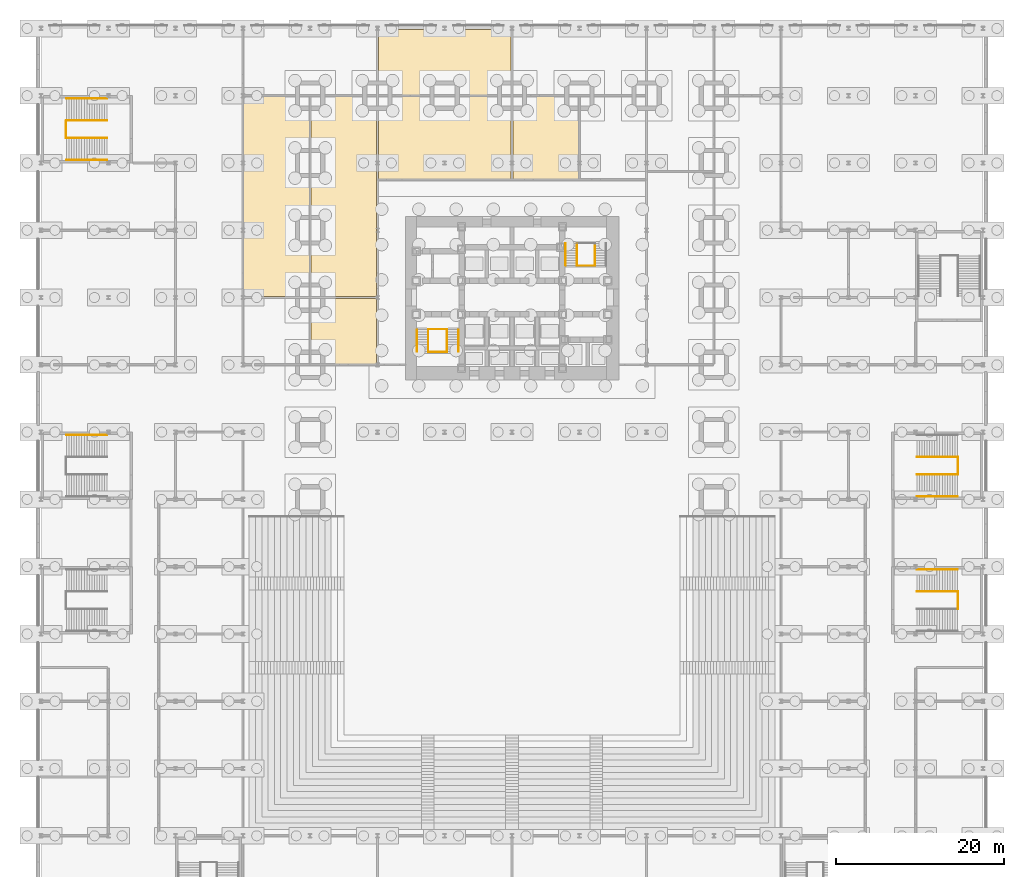
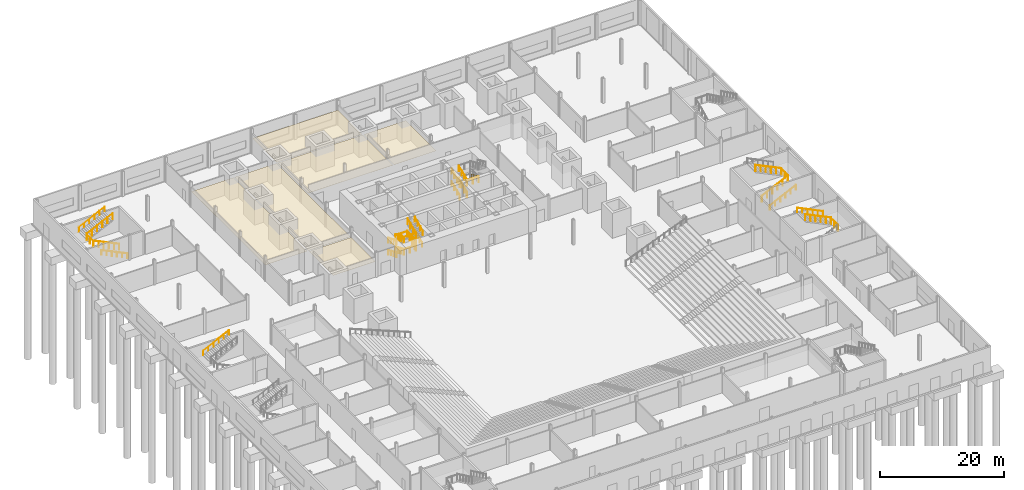
# One storey, part 22 of 24: 31 railings, 6 coverings.
"""IFC4 building model written with IfcOpenShell, lengths in metres."""

from ifc_helpers import new_model, si_unit, direction, frame, origin, origin_2d, place, context, subcontext, project, spatial, polyline, circle, outline, extrude, material, layer, layer_set, type_object, element, save


model = new_model("IFC4")

# Units and contexts
model_context = context("Model", 3, precision=1e-05, world=origin(), true_north=direction((0.0, 1.0)))
body_context = subcontext(model_context, "Body", "Model", "MODEL_VIEW")
ifc_project = project(units=[si_unit("LENGTHUNIT", "METRE"), si_unit("AREAUNIT", "SQUARE_METRE"), si_unit("VOLUMEUNIT", "CUBIC_METRE"), si_unit("PLANEANGLEUNIT", "RADIAN"), si_unit("MASSUNIT", "GRAM", prefix="KILO")], contexts=[model_context])

# Site, building, storey
site_placement = place(None, origin())
site = spatial("IfcSite", under=ifc_project, at=site_placement, CompositionType="ELEMENT")
building_placement = place(site_placement, origin())
building = spatial("IfcBuilding", under=site, at=building_placement, Name="Daluyong Arena Tower", CompositionType="ELEMENT")
storey_placement = place(building_placement, origin())
storey = spatial("IfcBuildingStorey", under=building, at=storey_placement, Name="L00", CompositionType="ELEMENT", Elevation=0.0)

# Coverings
ifc_material_1 = material(Name="Mineral fibre ceiling tile", Category="gypsum board")
ifc_layer = layer(ifc_material_1, 0.02001953125)
ifc_layer_set = layer_set([ifc_layer], Name="Mineral fibre ceiling tile")
covering_type = type_object("IfcCoveringType", Name="Office ceiling", PredefinedType="CEILING", material=ifc_layer_set)
covering_1_placement = place(storey_placement, frame((0.0, 0.0, 2.89990234375)))
element("IfcCovering", 1, at=covering_1_placement, inside=storey, type_object=covering_type, Name="ceiling L00-24", PredefinedType="CEILING", context=body_context, shape_type="SweptSolid", body=[
    extrude(outline(polyline([(39.89990234375, 72.10009765625), (39.89990234375, 79.89990234375), (32.10009765625, 79.89990234375), (32.10009765625, 72.10009765625), (39.89990234375, 72.10009765625)])), origin(), (0.0, 0.0, 1.0), 0.02001953125),
])
covering_2_placement = place(storey_placement, frame((0.0, 0.0, 2.89990234375)))
element("IfcCovering", 2, at=covering_2_placement, inside=storey, type_object=covering_type, Name="ceiling L00-39", PredefinedType="CEILING", context=body_context, shape_type="SweptSolid", body=[
    extrude(outline(polyline([(31.89990234375, 80.10009765625), (31.89990234375, 103.89990234375), (24.10009765625, 103.89990234375), (24.10009765625, 80.10009765625), (31.89990234375, 80.10009765625)])), origin(), (0.0, 0.0, 1.0), 0.02001953125),
])
covering_3_placement = place(storey_placement, frame((0.0, 0.0, 2.89990234375)))
element("IfcCovering", 3, at=covering_3_placement, inside=storey, type_object=covering_type, Name="ceiling L00-40", PredefinedType="CEILING", context=body_context, shape_type="SweptSolid", body=[
    extrude(outline(polyline([(39.89990234375, 80.10009765625), (39.89990234375, 103.89990234375), (32.10009765625, 103.89990234375), (32.10009765625, 80.10009765625), (39.89990234375, 80.10009765625)])), origin(), (0.0, 0.0, 1.0), 0.02001953125),
])
covering_4_placement = place(storey_placement, frame((0.0, 0.0, 2.89990234375)))
element("IfcCovering", 4, at=covering_4_placement, inside=storey, type_object=covering_type, Name="ceiling L00-42", PredefinedType="CEILING", context=body_context, shape_type="SweptSolid", body=[
    extrude(outline(polyline([(55.89990234375, 94.10009765625), (55.89990234375, 103.89990234375), (40.10009765625, 103.89990234375), (40.10009765625, 94.10009765625), (55.89990234375, 94.10009765625)])), origin(), (0.0, 0.0, 1.0), 0.02001953125),
])
covering_5_placement = place(storey_placement, frame((0.0, 0.0, 2.89990234375)))
element("IfcCovering", 5, at=covering_5_placement, inside=storey, type_object=covering_type, Name="ceiling L00-43", PredefinedType="CEILING", context=body_context, shape_type="SweptSolid", body=[
    extrude(outline(polyline([(55.89990234375, 104.10009765625), (55.89990234375, 111.89990234375), (40.10009765625, 111.89990234375), (40.10009765625, 104.10009765625), (55.89990234375, 104.10009765625)])), origin(), (0.0, 0.0, 1.0), 0.02001953125),
])
covering_6_placement = place(storey_placement, frame((0.0, 0.0, 2.89990234375)))
element("IfcCovering", 6, at=covering_6_placement, inside=storey, type_object=covering_type, Name="ceiling L00-44", PredefinedType="CEILING", context=body_context, shape_type="SweptSolid", body=[
    extrude(outline(polyline([(63.89990234375, 94.10009765625), (63.89990234375, 103.89990234375), (56.10009765625, 103.89990234375), (56.10009765625, 94.10009765625), (63.89990234375, 94.10009765625)])), origin(), (0.0, 0.0, 1.0), 0.02001953125),
])

# Railings
ifc_material_2 = material(Name="Stainless steel handrail", Category="steel")
railing_type_1 = type_object("IfcRailingType", Name="Stair handrail", PredefinedType="HANDRAIL", material=ifc_material_2)
railing_1_placement = place(storey_placement, frame((44.68994140625, 76.175048828125, 0.125732421875)))
element("IfcRailing", 7, at=railing_1_placement, inside=storey, type_object=railing_type_1, Name="exit stair A handrail L00", PredefinedType="HANDRAIL", context=body_context, shape_type="SweptSolid", body=[
    extrude(circle(Radius=0.02392578125, at=origin_2d()), frame((0.0, 0.0, 0.8759765625), z_axis=(0.0, -0.917610936378, 0.397479772366), x_axis=(1.0, 0.0, 0.0)), (0.0, 0.0, 1.0), 2.844482421875),
    extrude(circle(Radius=0.02099609375, at=origin_2d()), origin(), (0.0, 0.0, 1.0), 0.851806640625),
    extrude(circle(Radius=0.02099609375, at=origin_2d()), frame((0.0, -0.8701171875, 0.376953125)), (0.0, 0.0, 1.0), 0.851806640625),
    extrude(circle(Radius=0.02099609375, at=origin_2d()), frame((0.0, -1.739990234375, 0.753662109375)), (0.0, 0.0, 1.0), 0.851806640625),
    extrude(circle(Radius=0.02099609375, at=origin_2d()), frame((0.0, -2.610107421875, 1.130615234375)), (0.0, 0.0, 1.0), 0.851806640625),
])
railing_2_placement = place(storey_placement, frame((49.625, 73.85498046875, 1.382080078125)))
element("IfcRailing", 8, at=railing_2_placement, inside=storey, type_object=railing_type_1, Name="exit stair A handrail L00", PredefinedType="HANDRAIL", context=body_context, shape_type="SweptSolid", body=[
    extrude(circle(Radius=0.02392578125, at=origin_2d()), frame((0.0, 0.0, 0.8759765625), z_axis=(0.0, 0.917589674636, 0.397528853044), x_axis=(-1.0, 0.0, 0.0)), (0.0, 0.0, 1.0), 2.5283203125),
    extrude(circle(Radius=0.02099609375, at=origin_2d()), origin(), (0.0, 0.0, 1.0), 0.851806640625),
    extrude(circle(Radius=0.02099609375, at=origin_2d()), frame((0.0, 0.7734375, 0.3349609375)), (0.0, 0.0, 1.0), 0.851806640625),
    extrude(circle(Radius=0.02099609375, at=origin_2d()), frame((0.0, 1.546630859375, 0.670166015625)), (0.0, 0.0, 1.0), 0.851806640625),
    extrude(circle(Radius=0.02099609375, at=origin_2d()), frame((0.0, 2.320068359375, 1.005126953125)), (0.0, 0.0, 1.0), 0.851806640625),
])
railing_3_placement = place(storey_placement, frame((44.68994140625, 76.175048828125, 2.512939453125)))
element("IfcRailing", 9, at=railing_3_placement, inside=storey, type_object=railing_type_1, Name="exit stair A handrail L00", PredefinedType="HANDRAIL", context=body_context, shape_type="SweptSolid", body=[
    extrude(circle(Radius=0.02392578125, at=origin_2d()), frame((0.0, 0.0, 0.8759765625), z_axis=(0.0, -0.917610936378, 0.397479772366), x_axis=(1.0, 0.0, 0.0)), (0.0, 0.0, 1.0), 2.844482421875),
    extrude(circle(Radius=0.02099609375, at=origin_2d()), origin(), (0.0, 0.0, 1.0), 0.851806640625),
    extrude(circle(Radius=0.02099609375, at=origin_2d()), frame((0.0, -0.8701171875, 0.376953125)), (0.0, 0.0, 1.0), 0.851806640625),
    extrude(circle(Radius=0.02099609375, at=origin_2d()), frame((0.0, -1.739990234375, 0.753662109375)), (0.0, 0.0, 1.0), 0.851806640625),
    extrude(circle(Radius=0.02099609375, at=origin_2d()), frame((0.0, -2.610107421875, 1.130615234375)), (0.0, 0.0, 1.0), 0.851806640625),
])
for number, where, name in (
    (10, (49.625, 73.56494140625, 3.769287109375), "exit stair A handrail L00"),
    (11, (62.375, 83.824951171875, 0.125732421875), "exit stair B handrail L00"),
    (12, (62.375, 83.824951171875, 2.512939453125), "exit stair B handrail L00"),
):
    element("IfcRailing", number, at=place(storey_placement, frame(where)), inside=storey, type_object=railing_type_1, Name=name, PredefinedType="HANDRAIL", context=body_context, shape_type="SweptSolid", body=[
        extrude(circle(Radius=0.02392578125, at=origin_2d()), frame((0.0, 0.0, 0.8759765625), z_axis=(0.0, 0.917610936378, 0.397479772366), x_axis=(-1.0, 0.0, 0.0)), (0.0, 0.0, 1.0), 2.844482421875),
        extrude(circle(Radius=0.02099609375, at=origin_2d()), origin(), (0.0, 0.0, 1.0), 0.851806640625),
        extrude(circle(Radius=0.02099609375, at=origin_2d()), frame((0.0, 0.8701171875, 0.376953125)), (0.0, 0.0, 1.0), 0.851806640625),
        extrude(circle(Radius=0.02099609375, at=origin_2d()), frame((0.0, 1.739990234375, 0.753662109375)), (0.0, 0.0, 1.0), 0.851806640625),
        extrude(circle(Radius=0.02099609375, at=origin_2d()), frame((0.0, 2.610107421875, 1.130615234375)), (0.0, 0.0, 1.0), 0.851806640625),
    ])
railing_4_placement = place(storey_placement, frame((108.9599609375, 47.64990234375, 2.59423828125)))
element("IfcRailing", 13, at=railing_4_placement, inside=storey, type_object=railing_type_1, Name="exit stair PS4 handrail L00", PredefinedType="HANDRAIL", context=body_context, shape_type="SweptSolid", body=[
    extrude(circle(Radius=0.02392578125, at=origin_2d()), frame((0.0, 0.0, 0.8759765625), z_axis=(-0.901402830156, 0.0, 0.432981452011), x_axis=(0.0, -1.0, 0.0)), (0.0, 0.0, 1.0), 5.3251953125),
    extrude(circle(Radius=0.02099609375, at=origin_2d()), origin(), (0.0, 0.0, 1.0), 0.851806640625),
    extrude(circle(Radius=0.02099609375, at=origin_2d()), frame((-0.9599609375, 0.0, 0.461181640625)), (0.0, 0.0, 1.0), 0.851806640625),
    extrude(circle(Radius=0.02099609375, at=origin_2d()), frame((-1.919921875, 0.0, 0.92236328125)), (0.0, 0.0, 1.0), 0.851806640625),
    extrude(circle(Radius=0.02099609375, at=origin_2d()), frame((-2.880126953125, 0.0, 1.38330078125)), (0.0, 0.0, 1.0), 0.851806640625),
    extrude(circle(Radius=0.02099609375, at=origin_2d()), frame((-3.840087890625, 0.0, 1.844482421875)), (0.0, 0.0, 1.0), 0.851806640625),
    extrude(circle(Radius=0.02099609375, at=origin_2d()), frame((-4.800048828125, 0.0, 2.3056640625)), (0.0, 0.0, 1.0), 0.851806640625),
])
railing_5_placement = place(storey_placement, frame((7.840087890625, 96.35009765625, 0.14404296875)))
element("IfcRailing", 14, at=railing_5_placement, inside=storey, type_object=railing_type_1, Name="exit stair PS5 handrail L00", PredefinedType="HANDRAIL", context=body_context, shape_type="SweptSolid", body=[
    extrude(circle(Radius=0.02392578125, at=origin_2d()), frame((0.0, 0.0, 0.8759765625), z_axis=(-0.901384935985, 0.0, 0.433018703036), x_axis=(0.0, -1.0, 0.0)), (0.0, 0.0, 1.0), 5.3251953125),
    extrude(circle(Radius=0.02099609375, at=origin_2d()), origin(), (0.0, 0.0, 1.0), 0.851806640625),
    extrude(circle(Radius=0.02099609375, at=origin_2d()), frame((-0.9599609375, 0.0, 0.461181640625)), (0.0, 0.0, 1.0), 0.851806640625),
    extrude(circle(Radius=0.02099609375, at=origin_2d()), frame((-1.919921875, 0.0, 0.92236328125)), (0.0, 0.0, 1.0), 0.851806640625),
    extrude(circle(Radius=0.02099609375, at=origin_2d()), frame((-2.880126953125, 0.0, 1.383544921875)), (0.0, 0.0, 1.0), 0.851806640625),
    extrude(circle(Radius=0.02099609375, at=origin_2d()), frame((-3.840087890625, 0.0, 1.8447265625)), (0.0, 0.0, 1.0), 0.851806640625),
    extrude(circle(Radius=0.02099609375, at=origin_2d()), frame((-4.800048828125, 0.0, 2.305908203125)), (0.0, 0.0, 1.0), 0.851806640625),
])
for number, where, name in (
    (15, (3.0400390625, 103.64990234375, 2.59423828125), "exit stair PS5 handrail L00"),
    (16, (3.0400390625, 63.64990234375, 2.59423828125), "exit stair PS7 handrail L00"),
):
    element("IfcRailing", number, at=place(storey_placement, frame(where)), inside=storey, type_object=railing_type_1, Name=name, PredefinedType="HANDRAIL", context=body_context, shape_type="SweptSolid", body=[
        extrude(circle(Radius=0.02392578125, at=origin_2d()), frame((0.0, 0.0, 0.8759765625), z_axis=(0.901402830156, 0.0, 0.432981452011), x_axis=(0.0, 1.0, 0.0)), (0.0, 0.0, 1.0), 5.3251953125),
        extrude(circle(Radius=0.02099609375, at=origin_2d()), origin(), (0.0, 0.0, 1.0), 0.851806640625),
        extrude(circle(Radius=0.02099609375, at=origin_2d()), frame((0.9599609375, 0.0, 0.461181640625)), (0.0, 0.0, 1.0), 0.851806640625),
        extrude(circle(Radius=0.02099609375, at=origin_2d()), frame((1.919921875, 0.0, 0.92236328125)), (0.0, 0.0, 1.0), 0.851806640625),
        extrude(circle(Radius=0.02099609375, at=origin_2d()), frame((2.880126953125, 0.0, 1.38330078125)), (0.0, 0.0, 1.0), 0.851806640625),
        extrude(circle(Radius=0.02099609375, at=origin_2d()), frame((3.840087890625, 0.0, 1.844482421875)), (0.0, 0.0, 1.0), 0.851806640625),
        extrude(circle(Radius=0.02099609375, at=origin_2d()), frame((4.800048828125, 0.0, 2.3056640625)), (0.0, 0.0, 1.0), 0.851806640625),
    ])
railing_6_placement = place(storey_placement, frame((104.159912109375, 56.35009765625, 0.14404296875)))
element("IfcRailing", 17, at=railing_6_placement, inside=storey, type_object=railing_type_1, Name="exit stair PS8 handrail L00", PredefinedType="HANDRAIL", context=body_context, shape_type="SweptSolid", body=[
    extrude(circle(Radius=0.02392578125, at=origin_2d()), frame((0.0, 0.0, 0.8759765625), z_axis=(0.901384935985, 0.0, 0.433018703036), x_axis=(0.0, 1.0, 0.0)), (0.0, 0.0, 1.0), 5.3251953125),
    extrude(circle(Radius=0.02099609375, at=origin_2d()), origin(), (0.0, 0.0, 1.0), 0.851806640625),
    extrude(circle(Radius=0.02099609375, at=origin_2d()), frame((0.9599609375, 0.0, 0.461181640625)), (0.0, 0.0, 1.0), 0.851806640625),
    extrude(circle(Radius=0.02099609375, at=origin_2d()), frame((1.919921875, 0.0, 0.92236328125)), (0.0, 0.0, 1.0), 0.851806640625),
    extrude(circle(Radius=0.02099609375, at=origin_2d()), frame((2.880126953125, 0.0, 1.383544921875)), (0.0, 0.0, 1.0), 0.851806640625),
    extrude(circle(Radius=0.02099609375, at=origin_2d()), frame((3.840087890625, 0.0, 1.8447265625)), (0.0, 0.0, 1.0), 0.851806640625),
    extrude(circle(Radius=0.02099609375, at=origin_2d()), frame((4.800048828125, 0.0, 2.305908203125)), (0.0, 0.0, 1.0), 0.851806640625),
])
ifc_material_3 = material(Name="Steel balustrade", Category="steel")
railing_type_2 = type_object("IfcRailingType", Name="Stair well guard 1100", PredefinedType="GUARDRAIL", material=ifc_material_3)
railing_7_placement = place(storey_placement, frame((46.0400390625, 76.175048828125, 0.125732421875)))
element("IfcRailing", 18, at=railing_7_placement, inside=storey, type_object=railing_type_2, Name="exit stair A well guard L00", PredefinedType="GUARDRAIL", context=body_context, shape_type="SweptSolid", body=[
    extrude(circle(Radius=0.02392578125, at=origin_2d()), frame((0.0, 0.0, 1.076171875), z_axis=(0.0, -0.917610936378, 0.397479772366), x_axis=(1.0, 0.0, 0.0)), (0.0, 0.0, 1.0), 2.844482421875),
    extrude(circle(Radius=0.02099609375, at=origin_2d()), origin(), (0.0, 0.0, 1.0), 1.052001953125),
    extrude(circle(Radius=0.02099609375, at=origin_2d()), frame((0.0, -0.8701171875, 0.376953125)), (0.0, 0.0, 1.0), 1.052001953125),
    extrude(circle(Radius=0.02099609375, at=origin_2d()), frame((0.0, -1.739990234375, 0.753662109375)), (0.0, 0.0, 1.0), 1.052001953125),
    extrude(circle(Radius=0.02099609375, at=origin_2d()), frame((0.0, -2.610107421875, 1.130615234375)), (0.0, 0.0, 1.0), 1.052001953125),
])
railing_8_placement = place(storey_placement, frame((48.27490234375, 73.85498046875, 1.382080078125)))
element("IfcRailing", 19, at=railing_8_placement, inside=storey, type_object=railing_type_2, Name="exit stair A well guard L00", PredefinedType="GUARDRAIL", context=body_context, shape_type="SweptSolid", body=[
    extrude(circle(Radius=0.02392578125, at=origin_2d()), frame((0.0, 0.0, 1.076171875), z_axis=(0.0, 0.917589674636, 0.397528853044), x_axis=(-1.0, 0.0, 0.0)), (0.0, 0.0, 1.0), 2.5283203125),
    extrude(circle(Radius=0.02099609375, at=origin_2d()), origin(), (0.0, 0.0, 1.0), 1.052001953125),
    extrude(circle(Radius=0.02099609375, at=origin_2d()), frame((0.0, 0.7734375, 0.3349609375)), (0.0, 0.0, 1.0), 1.052001953125),
    extrude(circle(Radius=0.02099609375, at=origin_2d()), frame((0.0, 1.546630859375, 0.670166015625)), (0.0, 0.0, 1.0), 1.052001953125),
    extrude(circle(Radius=0.02099609375, at=origin_2d()), frame((0.0, 2.320068359375, 1.005126953125)), (0.0, 0.0, 1.0), 1.052001953125),
])
railing_9_placement = place(storey_placement, frame((46.0400390625, 76.175048828125, 2.512939453125)))
element("IfcRailing", 20, at=railing_9_placement, inside=storey, type_object=railing_type_2, Name="exit stair A well guard L00", PredefinedType="GUARDRAIL", context=body_context, shape_type="SweptSolid", body=[
    extrude(circle(Radius=0.02392578125, at=origin_2d()), frame((0.0, 0.0, 1.076171875), z_axis=(0.0, -0.917610936378, 0.397479772366), x_axis=(1.0, 0.0, 0.0)), (0.0, 0.0, 1.0), 2.844482421875),
    extrude(circle(Radius=0.02099609375, at=origin_2d()), origin(), (0.0, 0.0, 1.0), 1.052001953125),
    extrude(circle(Radius=0.02099609375, at=origin_2d()), frame((0.0, -0.8701171875, 0.376953125)), (0.0, 0.0, 1.0), 1.052001953125),
    extrude(circle(Radius=0.02099609375, at=origin_2d()), frame((0.0, -1.739990234375, 0.753662109375)), (0.0, 0.0, 1.0), 1.052001953125),
    extrude(circle(Radius=0.02099609375, at=origin_2d()), frame((0.0, -2.610107421875, 1.130615234375)), (0.0, 0.0, 1.0), 1.052001953125),
])
railing_10_placement = place(storey_placement, frame((48.27490234375, 73.56494140625, 3.769287109375)))
element("IfcRailing", 21, at=railing_10_placement, inside=storey, type_object=railing_type_2, Name="exit stair A well guard L00", PredefinedType="GUARDRAIL", context=body_context, shape_type="SweptSolid", body=[
    extrude(circle(Radius=0.02392578125, at=origin_2d()), frame((0.0, 0.0, 1.076171875), z_axis=(0.0, 0.917610936378, 0.397479772366), x_axis=(-1.0, 0.0, 0.0)), (0.0, 0.0, 1.0), 2.844482421875),
    extrude(circle(Radius=0.02099609375, at=origin_2d()), origin(), (0.0, 0.0, 1.0), 1.052001953125),
    extrude(circle(Radius=0.02099609375, at=origin_2d()), frame((0.0, 0.8701171875, 0.376953125)), (0.0, 0.0, 1.0), 1.052001953125),
    extrude(circle(Radius=0.02099609375, at=origin_2d()), frame((0.0, 1.739990234375, 0.753662109375)), (0.0, 0.0, 1.0), 1.052001953125),
    extrude(circle(Radius=0.02099609375, at=origin_2d()), frame((0.0, 2.610107421875, 1.130615234375)), (0.0, 0.0, 1.0), 1.052001953125),
])
for number, where, name in (
    (22, (46.0400390625, 73.514892578125, 1.25634765625), "exit stair A landing guard L00"),
    (23, (46.0400390625, 76.22509765625, 2.38720703125), "exit stair A landing guard L00"),
    (24, (46.0400390625, 73.514892578125, 3.6435546875), "exit stair A landing guard L00"),
):
    element("IfcRailing", number, at=place(storey_placement, frame(where)), inside=storey, type_object=railing_type_2, Name=name, PredefinedType="GUARDRAIL", context=body_context, shape_type="SweptSolid", body=[
        extrude(circle(Radius=0.02392578125, at=origin_2d()), frame((0.0, 0.0, 1.076171875), z_axis=(1.0, 0.0, 0.0), x_axis=(0.0, 1.0, 0.0)), (0.0, 0.0, 1.0), 2.23486328125),
        extrude(circle(Radius=0.02099609375, at=origin_2d()), origin(), (0.0, 0.0, 1.0), 1.052001953125),
        extrude(circle(Radius=0.02099609375, at=origin_2d()), frame((1.117431640625, 0.0, 0.0)), (0.0, 0.0, 1.0), 1.052001953125),
        extrude(circle(Radius=0.02099609375, at=origin_2d()), frame((2.23486328125, 0.0, 0.0)), (0.0, 0.0, 1.0), 1.052001953125),
    ])
railing_11_placement = place(storey_placement, frame((48.27490234375, 73.514892578125, 2.38720703125)))
element("IfcRailing", 25, at=railing_11_placement, inside=storey, type_object=railing_type_2, Name="exit stair A landing guard L00", PredefinedType="GUARDRAIL", context=body_context, shape_type="SweptSolid", body=[
    extrude(circle(Radius=0.02392578125, at=origin_2d()), frame((0.0, 0.0, 1.076171875), z_axis=(0.0, 1.0, 0.0), x_axis=(-1.0, 0.0, 0.0)), (0.0, 0.0, 1.0), 2.66015625),
    extrude(circle(Radius=0.02099609375, at=origin_2d()), origin(), (0.0, 0.0, 1.0), 1.052001953125),
    extrude(circle(Radius=0.02099609375, at=origin_2d()), frame((0.0, 0.88671875, 0.0)), (0.0, 0.0, 1.0), 1.052001953125),
    extrude(circle(Radius=0.02099609375, at=origin_2d()), frame((0.0, 1.7734375, 0.0)), (0.0, 0.0, 1.0), 1.052001953125),
    extrude(circle(Radius=0.02099609375, at=origin_2d()), frame((0.0, 2.66015625, 0.0)), (0.0, 0.0, 1.0), 1.052001953125),
])
railing_12_placement = place(storey_placement, frame((63.72509765625, 83.824951171875, 0.125732421875)))
element("IfcRailing", 26, at=railing_12_placement, inside=storey, type_object=railing_type_2, Name="exit stair B well guard L00", PredefinedType="GUARDRAIL", context=body_context, shape_type="SweptSolid", body=[
    extrude(circle(Radius=0.02392578125, at=origin_2d()), frame((0.0, 0.0, 1.076171875), z_axis=(0.0, 0.917610936378, 0.397479772366), x_axis=(-1.0, 0.0, 0.0)), (0.0, 0.0, 1.0), 2.844482421875),
    extrude(circle(Radius=0.02099609375, at=origin_2d()), origin(), (0.0, 0.0, 1.0), 1.052001953125),
    extrude(circle(Radius=0.02099609375, at=origin_2d()), frame((0.0, 0.8701171875, 0.376953125)), (0.0, 0.0, 1.0), 1.052001953125),
    extrude(circle(Radius=0.02099609375, at=origin_2d()), frame((0.0, 1.739990234375, 0.753662109375)), (0.0, 0.0, 1.0), 1.052001953125),
    extrude(circle(Radius=0.02099609375, at=origin_2d()), frame((0.0, 2.610107421875, 1.130615234375)), (0.0, 0.0, 1.0), 1.052001953125),
])
railing_13_placement = place(storey_placement, frame((65.85009765625, 86.14501953125, 1.382080078125)))
element("IfcRailing", 27, at=railing_13_placement, inside=storey, type_object=railing_type_2, Name="exit stair B well guard L00", PredefinedType="GUARDRAIL", context=body_context, shape_type="SweptSolid", body=[
    extrude(circle(Radius=0.02392578125, at=origin_2d()), frame((0.0, 0.0, 1.076171875), z_axis=(0.0, -0.917589674636, 0.397528853044), x_axis=(1.0, 0.0, 0.0)), (0.0, 0.0, 1.0), 2.5283203125),
    extrude(circle(Radius=0.02099609375, at=origin_2d()), origin(), (0.0, 0.0, 1.0), 1.052001953125),
    extrude(circle(Radius=0.02099609375, at=origin_2d()), frame((0.0, -0.7734375, 0.3349609375)), (0.0, 0.0, 1.0), 1.052001953125),
    extrude(circle(Radius=0.02099609375, at=origin_2d()), frame((0.0, -1.546630859375, 0.670166015625)), (0.0, 0.0, 1.0), 1.052001953125),
    extrude(circle(Radius=0.02099609375, at=origin_2d()), frame((0.0, -2.320068359375, 1.005126953125)), (0.0, 0.0, 1.0), 1.052001953125),
])
railing_14_placement = place(storey_placement, frame((63.72509765625, 83.824951171875, 2.512939453125)))
element("IfcRailing", 28, at=railing_14_placement, inside=storey, type_object=railing_type_2, Name="exit stair B well guard L00", PredefinedType="GUARDRAIL", context=body_context, shape_type="SweptSolid", body=[
    extrude(circle(Radius=0.02392578125, at=origin_2d()), frame((0.0, 0.0, 1.076171875), z_axis=(0.0, 0.917610936378, 0.397479772366), x_axis=(-1.0, 0.0, 0.0)), (0.0, 0.0, 1.0), 2.844482421875),
    extrude(circle(Radius=0.02099609375, at=origin_2d()), origin(), (0.0, 0.0, 1.0), 1.052001953125),
    extrude(circle(Radius=0.02099609375, at=origin_2d()), frame((0.0, 0.8701171875, 0.376953125)), (0.0, 0.0, 1.0), 1.052001953125),
    extrude(circle(Radius=0.02099609375, at=origin_2d()), frame((0.0, 1.739990234375, 0.753662109375)), (0.0, 0.0, 1.0), 1.052001953125),
    extrude(circle(Radius=0.02099609375, at=origin_2d()), frame((0.0, 2.610107421875, 1.130615234375)), (0.0, 0.0, 1.0), 1.052001953125),
])
railing_15_placement = place(storey_placement, frame((63.72509765625, 83.77490234375, 2.38720703125)))
element("IfcRailing", 29, at=railing_15_placement, inside=storey, type_object=railing_type_2, Name="exit stair B landing guard L00", PredefinedType="GUARDRAIL", context=body_context, shape_type="SweptSolid", body=[
    extrude(circle(Radius=0.02392578125, at=origin_2d()), frame((0.0, 0.0, 1.076171875), z_axis=(1.0, 0.0, 0.0), x_axis=(0.0, 1.0, 0.0)), (0.0, 0.0, 1.0), 2.125),
    extrude(circle(Radius=0.02099609375, at=origin_2d()), origin(), (0.0, 0.0, 1.0), 1.052001953125),
    extrude(circle(Radius=0.02099609375, at=origin_2d()), frame((1.0625, 0.0, 0.0)), (0.0, 0.0, 1.0), 1.052001953125),
    extrude(circle(Radius=0.02099609375, at=origin_2d()), frame((2.125, 0.0, 0.0)), (0.0, 0.0, 1.0), 1.052001953125),
])
ifc_material_4 = material(Name="Steel balustrade", Category="steel")
railing_type_3 = type_object("IfcRailingType", Name="Stair well guard 1200", PredefinedType="GUARDRAIL", material=ifc_material_4)
railing_16_placement = place(storey_placement, frame((108.9599609375, 45.050048828125, 2.59423828125)))
element("IfcRailing", 30, at=railing_16_placement, inside=storey, type_object=railing_type_3, Name="exit stair PS4 well guard L00", PredefinedType="GUARDRAIL", context=body_context, shape_type="SweptSolid", body=[
    extrude(circle(Radius=0.02392578125, at=origin_2d()), frame((0.0, 0.0, 1.17578125), z_axis=(-0.901402830156, 0.0, 0.432981452011), x_axis=(0.0, -1.0, 0.0)), (0.0, 0.0, 1.0), 5.3251953125),
    extrude(circle(Radius=0.02099609375, at=origin_2d()), origin(), (0.0, 0.0, 1.0), 1.15185546875),
    extrude(circle(Radius=0.02099609375, at=origin_2d()), frame((-0.9599609375, 0.0, 0.461181640625)), (0.0, 0.0, 1.0), 1.15185546875),
    extrude(circle(Radius=0.02099609375, at=origin_2d()), frame((-1.919921875, 0.0, 0.92236328125)), (0.0, 0.0, 1.0), 1.15185546875),
    extrude(circle(Radius=0.02099609375, at=origin_2d()), frame((-2.880126953125, 0.0, 1.38330078125)), (0.0, 0.0, 1.0), 1.15185546875),
    extrude(circle(Radius=0.02099609375, at=origin_2d()), frame((-3.840087890625, 0.0, 1.844482421875)), (0.0, 0.0, 1.0), 1.15185546875),
    extrude(circle(Radius=0.02099609375, at=origin_2d()), frame((-4.800048828125, 0.0, 2.3056640625)), (0.0, 0.0, 1.0), 1.15185546875),
])
railing_17_placement = place(storey_placement, frame((109.010009765625, 42.949951171875, 2.449951171875)))
element("IfcRailing", 31, at=railing_17_placement, inside=storey, type_object=railing_type_3, Name="exit stair PS4 landing guard L00", PredefinedType="GUARDRAIL", context=body_context, shape_type="SweptSolid", body=[
    extrude(circle(Radius=0.02392578125, at=origin_2d()), frame((0.0, 0.0, 1.17578125), z_axis=(0.0, 1.0, 0.0), x_axis=(-1.0, 0.0, 0.0)), (0.0, 0.0, 1.0), 2.10009765625),
    extrude(circle(Radius=0.02099609375, at=origin_2d()), origin(), (0.0, 0.0, 1.0), 1.15185546875),
    extrude(circle(Radius=0.02099609375, at=origin_2d()), frame((0.0, 1.050048828125, 0.0)), (0.0, 0.0, 1.0), 1.15185546875),
    extrude(circle(Radius=0.02099609375, at=origin_2d()), frame((0.0, 2.10009765625, 0.0)), (0.0, 0.0, 1.0), 1.15185546875),
])
railing_18_placement = place(storey_placement, frame((7.840087890625, 98.949951171875, 0.14404296875)))
element("IfcRailing", 32, at=railing_18_placement, inside=storey, type_object=railing_type_3, Name="exit stair PS5 well guard L00", PredefinedType="GUARDRAIL", context=body_context, shape_type="SweptSolid", body=[
    extrude(circle(Radius=0.02392578125, at=origin_2d()), frame((0.0, 0.0, 1.17578125), z_axis=(-0.901384935985, 0.0, 0.433018703036), x_axis=(0.0, -1.0, 0.0)), (0.0, 0.0, 1.0), 5.3251953125),
    extrude(circle(Radius=0.02099609375, at=origin_2d()), origin(), (0.0, 0.0, 1.0), 1.15185546875),
    extrude(circle(Radius=0.02099609375, at=origin_2d()), frame((-0.9599609375, 0.0, 0.461181640625)), (0.0, 0.0, 1.0), 1.15185546875),
    extrude(circle(Radius=0.02099609375, at=origin_2d()), frame((-1.919921875, 0.0, 0.92236328125)), (0.0, 0.0, 1.0), 1.15185546875),
    extrude(circle(Radius=0.02099609375, at=origin_2d()), frame((-2.880126953125, 0.0, 1.383544921875)), (0.0, 0.0, 1.0), 1.15185546875),
    extrude(circle(Radius=0.02099609375, at=origin_2d()), frame((-3.840087890625, 0.0, 1.8447265625)), (0.0, 0.0, 1.0), 1.15185546875),
    extrude(circle(Radius=0.02099609375, at=origin_2d()), frame((-4.800048828125, 0.0, 2.305908203125)), (0.0, 0.0, 1.0), 1.15185546875),
])
railing_19_placement = place(storey_placement, frame((3.0400390625, 101.050048828125, 2.59423828125)))
element("IfcRailing", 33, at=railing_19_placement, inside=storey, type_object=railing_type_3, Name="exit stair PS5 well guard L00", PredefinedType="GUARDRAIL", context=body_context, shape_type="SweptSolid", body=[
    extrude(circle(Radius=0.02392578125, at=origin_2d()), frame((0.0, 0.0, 1.17578125), z_axis=(0.901402830156, 0.0, 0.432981452011), x_axis=(0.0, 1.0, 0.0)), (0.0, 0.0, 1.0), 5.3251953125),
    extrude(circle(Radius=0.02099609375, at=origin_2d()), origin(), (0.0, 0.0, 1.0), 1.15185546875),
    extrude(circle(Radius=0.02099609375, at=origin_2d()), frame((0.9599609375, 0.0, 0.461181640625)), (0.0, 0.0, 1.0), 1.15185546875),
    extrude(circle(Radius=0.02099609375, at=origin_2d()), frame((1.919921875, 0.0, 0.92236328125)), (0.0, 0.0, 1.0), 1.15185546875),
    extrude(circle(Radius=0.02099609375, at=origin_2d()), frame((2.880126953125, 0.0, 1.38330078125)), (0.0, 0.0, 1.0), 1.15185546875),
    extrude(circle(Radius=0.02099609375, at=origin_2d()), frame((3.840087890625, 0.0, 1.844482421875)), (0.0, 0.0, 1.0), 1.15185546875),
    extrude(circle(Radius=0.02099609375, at=origin_2d()), frame((4.800048828125, 0.0, 2.3056640625)), (0.0, 0.0, 1.0), 1.15185546875),
])
railing_20_placement = place(storey_placement, frame((2.989990234375, 98.949951171875, 2.449951171875)))
element("IfcRailing", 34, at=railing_20_placement, inside=storey, type_object=railing_type_3, Name="exit stair PS5 landing guard L00", PredefinedType="GUARDRAIL", context=body_context, shape_type="SweptSolid", body=[
    extrude(circle(Radius=0.02392578125, at=origin_2d()), frame((0.0, 0.0, 1.17578125), z_axis=(0.0, 1.0, 0.0), x_axis=(-1.0, 0.0, 0.0)), (0.0, 0.0, 1.0), 2.10009765625),
    extrude(circle(Radius=0.02099609375, at=origin_2d()), origin(), (0.0, 0.0, 1.0), 1.15185546875),
    extrude(circle(Radius=0.02099609375, at=origin_2d()), frame((0.0, 1.050048828125, 0.0)), (0.0, 0.0, 1.0), 1.15185546875),
    extrude(circle(Radius=0.02099609375, at=origin_2d()), frame((0.0, 2.10009765625, 0.0)), (0.0, 0.0, 1.0), 1.15185546875),
])
railing_21_placement = place(storey_placement, frame((104.159912109375, 58.949951171875, 0.14404296875)))
element("IfcRailing", 35, at=railing_21_placement, inside=storey, type_object=railing_type_3, Name="exit stair PS8 well guard L00", PredefinedType="GUARDRAIL", context=body_context, shape_type="SweptSolid", body=[
    extrude(circle(Radius=0.02392578125, at=origin_2d()), frame((0.0, 0.0, 1.17578125), z_axis=(0.901384935985, 0.0, 0.433018703036), x_axis=(0.0, 1.0, 0.0)), (0.0, 0.0, 1.0), 5.3251953125),
    extrude(circle(Radius=0.02099609375, at=origin_2d()), origin(), (0.0, 0.0, 1.0), 1.15185546875),
    extrude(circle(Radius=0.02099609375, at=origin_2d()), frame((0.9599609375, 0.0, 0.461181640625)), (0.0, 0.0, 1.0), 1.15185546875),
    extrude(circle(Radius=0.02099609375, at=origin_2d()), frame((1.919921875, 0.0, 0.92236328125)), (0.0, 0.0, 1.0), 1.15185546875),
    extrude(circle(Radius=0.02099609375, at=origin_2d()), frame((2.880126953125, 0.0, 1.383544921875)), (0.0, 0.0, 1.0), 1.15185546875),
    extrude(circle(Radius=0.02099609375, at=origin_2d()), frame((3.840087890625, 0.0, 1.8447265625)), (0.0, 0.0, 1.0), 1.15185546875),
    extrude(circle(Radius=0.02099609375, at=origin_2d()), frame((4.800048828125, 0.0, 2.305908203125)), (0.0, 0.0, 1.0), 1.15185546875),
])
railing_22_placement = place(storey_placement, frame((108.9599609375, 61.050048828125, 2.59423828125)))
element("IfcRailing", 36, at=railing_22_placement, inside=storey, type_object=railing_type_3, Name="exit stair PS8 well guard L00", PredefinedType="GUARDRAIL", context=body_context, shape_type="SweptSolid", body=[
    extrude(circle(Radius=0.02392578125, at=origin_2d()), frame((0.0, 0.0, 1.17578125), z_axis=(-0.901402830156, 0.0, 0.432981452011), x_axis=(0.0, -1.0, 0.0)), (0.0, 0.0, 1.0), 5.3251953125),
    extrude(circle(Radius=0.02099609375, at=origin_2d()), origin(), (0.0, 0.0, 1.0), 1.15185546875),
    extrude(circle(Radius=0.02099609375, at=origin_2d()), frame((-0.9599609375, 0.0, 0.461181640625)), (0.0, 0.0, 1.0), 1.15185546875),
    extrude(circle(Radius=0.02099609375, at=origin_2d()), frame((-1.919921875, 0.0, 0.92236328125)), (0.0, 0.0, 1.0), 1.15185546875),
    extrude(circle(Radius=0.02099609375, at=origin_2d()), frame((-2.880126953125, 0.0, 1.38330078125)), (0.0, 0.0, 1.0), 1.15185546875),
    extrude(circle(Radius=0.02099609375, at=origin_2d()), frame((-3.840087890625, 0.0, 1.844482421875)), (0.0, 0.0, 1.0), 1.15185546875),
    extrude(circle(Radius=0.02099609375, at=origin_2d()), frame((-4.800048828125, 0.0, 2.3056640625)), (0.0, 0.0, 1.0), 1.15185546875),
])
railing_23_placement = place(storey_placement, frame((109.010009765625, 58.949951171875, 2.449951171875)))
element("IfcRailing", 37, at=railing_23_placement, inside=storey, type_object=railing_type_3, Name="exit stair PS8 landing guard L00", PredefinedType="GUARDRAIL", context=body_context, shape_type="SweptSolid", body=[
    extrude(circle(Radius=0.02392578125, at=origin_2d()), frame((0.0, 0.0, 1.17578125), z_axis=(0.0, 1.0, 0.0), x_axis=(-1.0, 0.0, 0.0)), (0.0, 0.0, 1.0), 2.10009765625),
    extrude(circle(Radius=0.02099609375, at=origin_2d()), origin(), (0.0, 0.0, 1.0), 1.15185546875),
    extrude(circle(Radius=0.02099609375, at=origin_2d()), frame((0.0, 1.050048828125, 0.0)), (0.0, 0.0, 1.0), 1.15185546875),
    extrude(circle(Radius=0.02099609375, at=origin_2d()), frame((0.0, 2.10009765625, 0.0)), (0.0, 0.0, 1.0), 1.15185546875),
])

save(model, "model.ifc")
